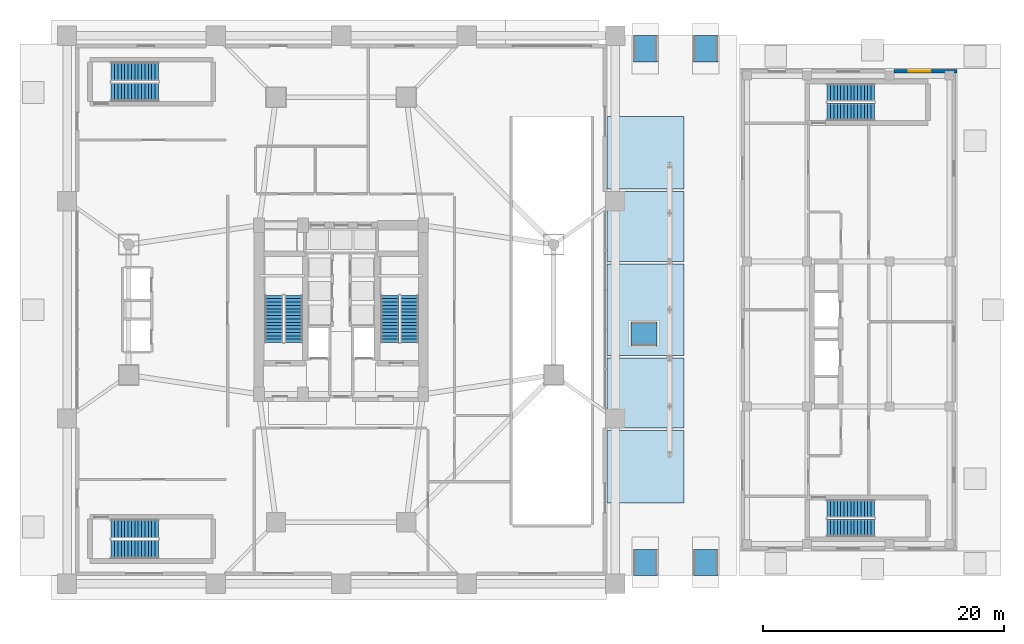
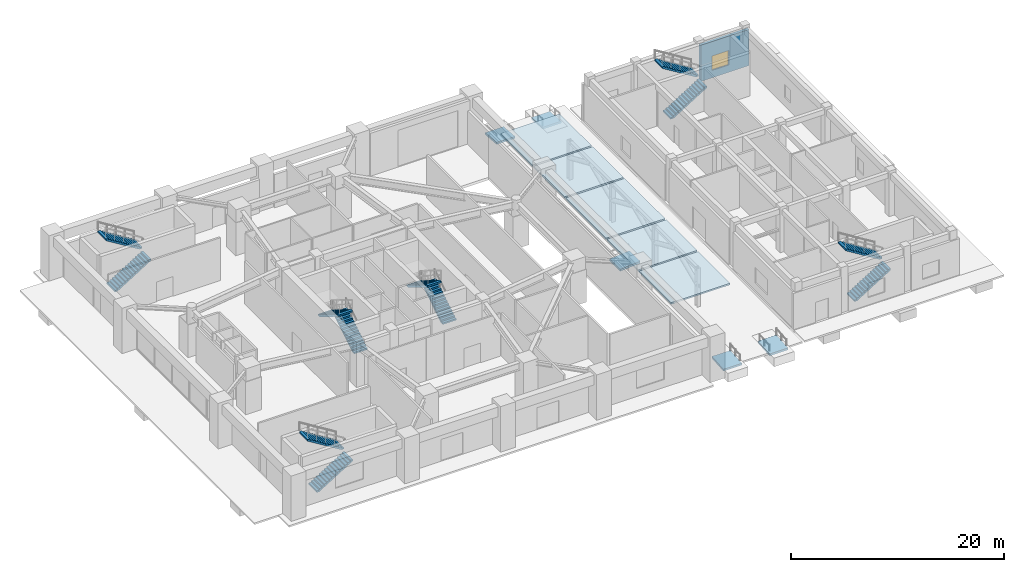
# One storey, part 22 of 27: 12 stair flights, 5 ramp flights, 5 roofs, 1 wall, 1 window, 1 opening, 11 elements without a shape of their own.
"""IFC4 building model written with IfcOpenShell, lengths in metres."""

from ifc_helpers import new_model, si_unit, direction, frame, frame_2d, origin, place, context, subcontext, project, spatial, polyline, rectangle, outline, extrude, source, transform, mapped, material, layer, layer_set, type_object, element, fill, aggregate, save


model = new_model("IFC4")

# Units and contexts
model_context = context("Model", 3, precision=1e-05, world=origin(), true_north=direction((0.0, 1.0)))
body_context = subcontext(model_context, "Body", "Model", "MODEL_VIEW")
ifc_project = project(units=[si_unit("LENGTHUNIT", "METRE"), si_unit("AREAUNIT", "SQUARE_METRE"), si_unit("VOLUMEUNIT", "CUBIC_METRE"), si_unit("PLANEANGLEUNIT", "RADIAN"), si_unit("MASSUNIT", "GRAM", prefix="KILO")], contexts=[model_context])

# Site, building, storey
site_placement = place(None, origin())
site = spatial("IfcSite", under=ifc_project, at=site_placement, CompositionType="ELEMENT")
building_placement = place(site_placement, origin())
building = spatial("IfcBuilding", under=site, at=building_placement, Name="Veraguas Prism Commons", CompositionType="ELEMENT")
storey_placement = place(building_placement, origin())
storey = spatial("IfcBuildingStorey", under=building, at=storey_placement, Name="L00", CompositionType="ELEMENT", Elevation=0.0)

# Wall, opening, window
ifc_material_1 = material(Name="Precast concrete C40/50", Category="concrete")
ifc_layer_1 = layer(ifc_material_1, 0.300048828125, Name="External Precast Facade Wall 300", Category="concrete")
ifc_layer_set_1 = layer_set([ifc_layer_1], Name="Precast concrete C40/50")
wall_type = type_object("IfcWallType", Name="External Precast Facade Wall 300", PredefinedType="SOLIDWALL", material=ifc_layer_set_1)
wall_placement = place(storey_placement, frame((75.0, 43.75, 0.0), z_axis=(0.0, 0.0, 1.0), x_axis=(-1.0, 0.0, 0.0)))
wall = element("IfcWall", 1, at=wall_placement, inside=storey, type_object=wall_type, Name="Health Centre North Wall L00-01", PredefinedType="SOLIDWALL", context=body_context, shape_type="SweptSolid", body=[
    extrude(rectangle(XDim=5.22509765625, YDim=0.300048828125, at=frame_2d((2.612548828125, 0.0))), origin(), (0.0, 0.0, 1.0), 4.14990234375),
])
opening_placement = place(wall_placement, frame((2.199951171875, 0.0, 0.85009765625)))
opening = element("IfcOpeningElement", 2, at=opening_placement, cuts=wall, Name="Opening WN-01", PredefinedType="OPENING", context=body_context, shape_type="SweptSolid", body=[
    extrude(rectangle(XDim=1.800048828125, YDim=1.64990234375, at=frame_2d((0.89990234375, 0.824951171875))), frame((0.0, 0.159912109375, 0.0), z_axis=(0.0, -1.0, 0.0), x_axis=(1.0, 0.0, 0.0)), (0.0, 0.0, 1.0), 0.320068359375),
])
ifc_material_2 = material(Name="Laminated low-e glass", Category="glass")
window_type = type_object("IfcWindowType", Name="Clinic Consulting Double Window 1800x1650", PartitioningType="DOUBLE_PANEL_VERTICAL", PredefinedType="WINDOW", material=ifc_material_2)
shared_shape = source(origin(), body_context, "Body", "SweptSolid", [
    extrude(rectangle(XDim=1.800048828125, YDim=1.64990234375, at=frame_2d((0.89990234375, 0.824951171875))), frame((0.0, 0.030029296875, 0.0), z_axis=(0.0, -1.0, 0.0), x_axis=(1.0, 0.0, 0.0)), (0.0, 0.0, 1.0), 0.06005859375),
])
window_placement = place(opening_placement, origin())
window = element("IfcWindow", 3, at=window_placement, inside=storey, type_object=window_type, Name="Health Centre North Window L00-01", OverallHeight=1.64990234375, OverallWidth=1.800048828125, PartitioningType="DOUBLE_PANEL_VERTICAL", PredefinedType="WINDOW", context=body_context, shape_type="MappedRepresentation", body=[
    mapped(shared_shape, transform((0.0, 0.0, 0.0), scale=1.0)),
])
fill(opening, window)

# Stair, stair flights
ifc_material_3 = material(Name="Precast concrete C45/55", Category="concrete")
stair_type_1 = type_object("IfcStairType", Name="Dogleg Core Stair 1450W 30R 13", PredefinedType="HALF_TURN_STAIR", material=ifc_material_3)
stair_1_placement = place(storey_placement, origin())
stair_1 = element("IfcStair", 4, at=stair_1_placement, inside=storey, type_object=stair_type_1, Name="Protected Exit Stair ST-H1 L00", PredefinedType="HALF_TURN_STAIR")
stair_flight_type_1 = type_object("IfcStairFlightType", Name="Precast Stair Flight 1450W 15R 13", PredefinedType="STRAIGHT", material=ifc_material_3)
stair_flight_1_placement = place(storey_placement, frame((64.25, 5.925048828125, 0.0), z_axis=(0.0, 0.0, 1.0), x_axis=(1.0, 0.0, 0.0)))
stair_flight_1 = element("IfcStairFlight", 5, at=stair_flight_1_placement, type_object=stair_flight_type_1, Name="ST-13 Flight 1", NumberOfRisers=15, NumberOfTreads=14, PredefinedType="STRAIGHT", RiserHeight=0.173333333, TreadLength=0.28, context=body_context, shape_type="SweptSolid", body=[
    extrude(outline(polyline([(0.0, 0.0), (0.0, 0.17333984375), (0.280029296875, 0.17333984375), (0.280029296875, 0.3466796875), (0.56005859375, 0.3466796875), (0.56005859375, 0.52001953125), (0.840087890625, 0.52001953125), (0.840087890625, 0.693359375), (1.1201171875, 0.693359375), (1.1201171875, 0.86669921875), (1.39990234375, 0.86669921875), (1.39990234375, 1.0400390625), (1.679931640625, 1.0400390625), (1.679931640625, 1.21337890625), (1.9599609375, 1.21337890625), (1.9599609375, 1.38671875), (2.239990234375, 1.38671875), (2.239990234375, 1.56005859375), (2.52001953125, 1.56005859375), (2.52001953125, 1.7333984375), (2.800048828125, 1.7333984375), (2.800048828125, 1.90673828125), (3.080078125, 1.90673828125), (3.080078125, 2.080078125), (3.360107421875, 2.080078125), (3.360107421875, 2.25341796875), (3.639892578125, 2.25341796875), (3.639892578125, 2.4267578125), (3.919921875, 2.4267578125), (3.919921875, 2.60009765625), (3.919921875, 2.250244140625), (0.284912109375, 0.0), (0.0, 0.0)])), frame((0.0, 0.72509765625, 0.0), z_axis=(0.0, -1.0, 0.0), x_axis=(1.0, 0.0, 0.0)), (0.0, 0.0, 1.0), 1.449951171875),
])
stair_flight_2_placement = place(storey_placement, frame((68.169921875, 7.52490234375, 2.60009765625), z_axis=(0.0, 0.0, 1.0), x_axis=(-1.0, 0.0, 0.0)))
stair_flight_2 = element("IfcStairFlight", 6, at=stair_flight_2_placement, type_object=stair_flight_type_1, Name="ST-13 Flight 2", NumberOfRisers=15, NumberOfTreads=14, PredefinedType="STRAIGHT", RiserHeight=0.173333333, TreadLength=0.28, context=body_context, shape_type="SweptSolid", body=[
    extrude(outline(polyline([(0.0, 0.0), (0.0, 0.17333984375), (0.280029296875, 0.17333984375), (0.280029296875, 0.3466796875), (0.56005859375, 0.3466796875), (0.56005859375, 0.52001953125), (0.840087890625, 0.52001953125), (0.840087890625, 0.693359375), (1.1201171875, 0.693359375), (1.1201171875, 0.86669921875), (1.39990234375, 0.86669921875), (1.39990234375, 1.0400390625), (1.679931640625, 1.0400390625), (1.679931640625, 1.21337890625), (1.9599609375, 1.21337890625), (1.9599609375, 1.38671875), (2.239990234375, 1.38671875), (2.239990234375, 1.56005859375), (2.52001953125, 1.56005859375), (2.52001953125, 1.7333984375), (2.800048828125, 1.7333984375), (2.800048828125, 1.90673828125), (3.080078125, 1.90673828125), (3.080078125, 2.080078125), (3.360107421875, 2.080078125), (3.360107421875, 2.25341796875), (3.639892578125, 2.25341796875), (3.639892578125, 2.4267578125), (3.919921875, 2.4267578125), (3.919921875, 2.60009765625), (3.919921875, 2.250244140625), (0.284912109375, 0.0), (0.0, 0.0)])), frame((0.0, 0.72509765625, 0.0), z_axis=(0.0, -1.0, 0.0), x_axis=(1.0, 0.0, 0.0)), (0.0, 0.0, 1.0), 1.449951171875),
])
aggregate(stair_1, [stair_flight_1, stair_flight_2])

stair_2_placement = place(storey_placement, origin())
stair_2 = element("IfcStair", 7, at=stair_2_placement, inside=storey, type_object=stair_type_1, Name="Protected Exit Stair ST-H2 L00", PredefinedType="HALF_TURN_STAIR")
stair_flight_3_placement = place(storey_placement, frame((64.25, 40.385009765625, 0.0), z_axis=(0.0, 0.0, 1.0), x_axis=(1.0, 0.0, 0.0)))
stair_flight_3 = element("IfcStairFlight", 8, at=stair_flight_3_placement, type_object=stair_flight_type_1, Name="ST-13 Flight 1", NumberOfRisers=15, NumberOfTreads=14, PredefinedType="STRAIGHT", RiserHeight=0.173333333, TreadLength=0.28, context=body_context, shape_type="SweptSolid", body=[
    extrude(outline(polyline([(0.0, 0.0), (0.0, 0.17333984375), (0.280029296875, 0.17333984375), (0.280029296875, 0.3466796875), (0.56005859375, 0.3466796875), (0.56005859375, 0.52001953125), (0.840087890625, 0.52001953125), (0.840087890625, 0.693359375), (1.1201171875, 0.693359375), (1.1201171875, 0.86669921875), (1.39990234375, 0.86669921875), (1.39990234375, 1.0400390625), (1.679931640625, 1.0400390625), (1.679931640625, 1.21337890625), (1.9599609375, 1.21337890625), (1.9599609375, 1.38671875), (2.239990234375, 1.38671875), (2.239990234375, 1.56005859375), (2.52001953125, 1.56005859375), (2.52001953125, 1.7333984375), (2.800048828125, 1.7333984375), (2.800048828125, 1.90673828125), (3.080078125, 1.90673828125), (3.080078125, 2.080078125), (3.360107421875, 2.080078125), (3.360107421875, 2.25341796875), (3.639892578125, 2.25341796875), (3.639892578125, 2.4267578125), (3.919921875, 2.4267578125), (3.919921875, 2.60009765625), (3.919921875, 2.250244140625), (0.284912109375, 0.0), (0.0, 0.0)])), frame((0.0, 0.72509765625, 0.0), z_axis=(0.0, -1.0, 0.0), x_axis=(1.0, 0.0, 0.0)), (0.0, 0.0, 1.0), 1.449951171875),
])
stair_flight_4_placement = place(storey_placement, frame((68.169921875, 41.985107421875, 2.60009765625), z_axis=(0.0, 0.0, 1.0), x_axis=(-1.0, 0.0, 0.0)))
stair_flight_4 = element("IfcStairFlight", 9, at=stair_flight_4_placement, type_object=stair_flight_type_1, Name="ST-13 Flight 2", NumberOfRisers=15, NumberOfTreads=14, PredefinedType="STRAIGHT", RiserHeight=0.173333333, TreadLength=0.28, context=body_context, shape_type="SweptSolid", body=[
    extrude(outline(polyline([(0.0, 0.0), (0.0, 0.17333984375), (0.280029296875, 0.17333984375), (0.280029296875, 0.3466796875), (0.56005859375, 0.3466796875), (0.56005859375, 0.52001953125), (0.840087890625, 0.52001953125), (0.840087890625, 0.693359375), (1.1201171875, 0.693359375), (1.1201171875, 0.86669921875), (1.39990234375, 0.86669921875), (1.39990234375, 1.0400390625), (1.679931640625, 1.0400390625), (1.679931640625, 1.21337890625), (1.9599609375, 1.21337890625), (1.9599609375, 1.38671875), (2.239990234375, 1.38671875), (2.239990234375, 1.56005859375), (2.52001953125, 1.56005859375), (2.52001953125, 1.7333984375), (2.800048828125, 1.7333984375), (2.800048828125, 1.90673828125), (3.080078125, 1.90673828125), (3.080078125, 2.080078125), (3.360107421875, 2.080078125), (3.360107421875, 2.25341796875), (3.639892578125, 2.25341796875), (3.639892578125, 2.4267578125), (3.919921875, 2.4267578125), (3.919921875, 2.60009765625), (3.919921875, 2.250244140625), (0.284912109375, 0.0), (0.0, 0.0)])), frame((0.0, 0.72509765625, 0.0), z_axis=(0.0, -1.0, 0.0), x_axis=(1.0, 0.0, 0.0)), (0.0, 0.0, 1.0), 1.449951171875),
])
aggregate(stair_2, [stair_flight_3, stair_flight_4])

stair_type_2 = type_object("IfcStairType", Name="Dogleg Core Stair 1480W 30R 02", PredefinedType="HALF_TURN_STAIR", material=ifc_material_3)
stair_3_placement = place(storey_placement, origin())
stair_3 = element("IfcStair", 10, at=stair_3_placement, inside=storey, type_object=stair_type_2, Name="Protected Exit Stair ST-01 L00", PredefinedType="HALF_TURN_STAIR")
stair_flight_type_2 = type_object("IfcStairFlightType", Name="Precast Stair Flight 1480W 15R 02", PredefinedType="STRAIGHT", material=ifc_material_3)
stair_flight_5_placement = place(storey_placement, frame((20.06005859375, 21.280029296875, 0.0), z_axis=(0.0, 0.0, 1.0), x_axis=(0.0, 1.0, 0.0)))
stair_flight_5 = element("IfcStairFlight", 11, at=stair_flight_5_placement, type_object=stair_flight_type_2, Name="ST-02 Flight 1", NumberOfRisers=15, NumberOfTreads=14, PredefinedType="STRAIGHT", RiserHeight=0.173333333, TreadLength=0.28, context=body_context, shape_type="SweptSolid", body=[
    extrude(outline(polyline([(0.0, 0.0), (0.0, 0.17333984375), (0.280029296875, 0.17333984375), (0.280029296875, 0.3466796875), (0.56005859375, 0.3466796875), (0.56005859375, 0.52001953125), (0.840087890625, 0.52001953125), (0.840087890625, 0.693359375), (1.1201171875, 0.693359375), (1.1201171875, 0.86669921875), (1.39990234375, 0.86669921875), (1.39990234375, 1.0400390625), (1.679931640625, 1.0400390625), (1.679931640625, 1.21337890625), (1.9599609375, 1.21337890625), (1.9599609375, 1.38671875), (2.239990234375, 1.38671875), (2.239990234375, 1.56005859375), (2.52001953125, 1.56005859375), (2.52001953125, 1.7333984375), (2.800048828125, 1.7333984375), (2.800048828125, 1.90673828125), (3.080078125, 1.90673828125), (3.080078125, 2.080078125), (3.360107421875, 2.080078125), (3.360107421875, 2.25341796875), (3.639892578125, 2.25341796875), (3.639892578125, 2.4267578125), (3.919921875, 2.4267578125), (3.919921875, 2.60009765625), (3.919921875, 2.250244140625), (0.284912109375, 0.0), (0.0, 0.0)])), frame((0.0, 0.739990234375, 0.0), z_axis=(0.0, -1.0, 0.0), x_axis=(1.0, 0.0, 0.0)), (0.0, 0.0, 1.0), 1.47998046875),
])
stair_flight_6_placement = place(storey_placement, frame((18.429931640625, 25.199951171875, 2.60009765625), z_axis=(0.0, 0.0, 1.0), x_axis=(0.0, -1.0, 0.0)))
stair_flight_6 = element("IfcStairFlight", 12, at=stair_flight_6_placement, type_object=stair_flight_type_2, Name="ST-02 Flight 2", NumberOfRisers=15, NumberOfTreads=14, PredefinedType="STRAIGHT", RiserHeight=0.173333333, TreadLength=0.28, context=body_context, shape_type="SweptSolid", body=[
    extrude(outline(polyline([(0.0, 0.0), (0.0, 0.17333984375), (0.280029296875, 0.17333984375), (0.280029296875, 0.3466796875), (0.56005859375, 0.3466796875), (0.56005859375, 0.52001953125), (0.840087890625, 0.52001953125), (0.840087890625, 0.693359375), (1.1201171875, 0.693359375), (1.1201171875, 0.86669921875), (1.39990234375, 0.86669921875), (1.39990234375, 1.0400390625), (1.679931640625, 1.0400390625), (1.679931640625, 1.21337890625), (1.9599609375, 1.21337890625), (1.9599609375, 1.38671875), (2.239990234375, 1.38671875), (2.239990234375, 1.56005859375), (2.52001953125, 1.56005859375), (2.52001953125, 1.7333984375), (2.800048828125, 1.7333984375), (2.800048828125, 1.90673828125), (3.080078125, 1.90673828125), (3.080078125, 2.080078125), (3.360107421875, 2.080078125), (3.360107421875, 2.25341796875), (3.639892578125, 2.25341796875), (3.639892578125, 2.4267578125), (3.919921875, 2.4267578125), (3.919921875, 2.60009765625), (3.919921875, 2.250244140625), (0.284912109375, 0.0), (0.0, 0.0)])), frame((0.0, 0.739990234375, 0.0), z_axis=(0.0, -1.0, 0.0), x_axis=(1.0, 0.0, 0.0)), (0.0, 0.0, 1.0), 1.47998046875),
])
aggregate(stair_3, [stair_flight_5, stair_flight_6])

stair_4_placement = place(storey_placement, origin())
stair_4 = element("IfcStair", 13, at=stair_4_placement, inside=storey, type_object=stair_type_2, Name="Protected Exit Stair ST-02 L00", PredefinedType="HALF_TURN_STAIR")
stair_flight_7_placement = place(storey_placement, frame((29.659912109375, 21.280029296875, 0.0), z_axis=(0.0, 0.0, 1.0), x_axis=(0.0, 1.0, 0.0)))
stair_flight_7 = element("IfcStairFlight", 14, at=stair_flight_7_placement, type_object=stair_flight_type_2, Name="ST-02 Flight 1", NumberOfRisers=15, NumberOfTreads=14, PredefinedType="STRAIGHT", RiserHeight=0.173333333, TreadLength=0.28, context=body_context, shape_type="SweptSolid", body=[
    extrude(outline(polyline([(0.0, 0.0), (0.0, 0.17333984375), (0.280029296875, 0.17333984375), (0.280029296875, 0.3466796875), (0.56005859375, 0.3466796875), (0.56005859375, 0.52001953125), (0.840087890625, 0.52001953125), (0.840087890625, 0.693359375), (1.1201171875, 0.693359375), (1.1201171875, 0.86669921875), (1.39990234375, 0.86669921875), (1.39990234375, 1.0400390625), (1.679931640625, 1.0400390625), (1.679931640625, 1.21337890625), (1.9599609375, 1.21337890625), (1.9599609375, 1.38671875), (2.239990234375, 1.38671875), (2.239990234375, 1.56005859375), (2.52001953125, 1.56005859375), (2.52001953125, 1.7333984375), (2.800048828125, 1.7333984375), (2.800048828125, 1.90673828125), (3.080078125, 1.90673828125), (3.080078125, 2.080078125), (3.360107421875, 2.080078125), (3.360107421875, 2.25341796875), (3.639892578125, 2.25341796875), (3.639892578125, 2.4267578125), (3.919921875, 2.4267578125), (3.919921875, 2.60009765625), (3.919921875, 2.250244140625), (0.284912109375, 0.0), (0.0, 0.0)])), frame((0.0, 0.739990234375, 0.0), z_axis=(0.0, -1.0, 0.0), x_axis=(1.0, 0.0, 0.0)), (0.0, 0.0, 1.0), 1.47998046875),
])
stair_flight_8_placement = place(storey_placement, frame((28.030029296875, 25.199951171875, 2.60009765625), z_axis=(0.0, 0.0, 1.0), x_axis=(0.0, -1.0, 0.0)))
stair_flight_8 = element("IfcStairFlight", 15, at=stair_flight_8_placement, type_object=stair_flight_type_2, Name="ST-02 Flight 2", NumberOfRisers=15, NumberOfTreads=14, PredefinedType="STRAIGHT", RiserHeight=0.173333333, TreadLength=0.28, context=body_context, shape_type="SweptSolid", body=[
    extrude(outline(polyline([(0.0, 0.0), (0.0, 0.17333984375), (0.280029296875, 0.17333984375), (0.280029296875, 0.3466796875), (0.56005859375, 0.3466796875), (0.56005859375, 0.52001953125), (0.840087890625, 0.52001953125), (0.840087890625, 0.693359375), (1.1201171875, 0.693359375), (1.1201171875, 0.86669921875), (1.39990234375, 0.86669921875), (1.39990234375, 1.0400390625), (1.679931640625, 1.0400390625), (1.679931640625, 1.21337890625), (1.9599609375, 1.21337890625), (1.9599609375, 1.38671875), (2.239990234375, 1.38671875), (2.239990234375, 1.56005859375), (2.52001953125, 1.56005859375), (2.52001953125, 1.7333984375), (2.800048828125, 1.7333984375), (2.800048828125, 1.90673828125), (3.080078125, 1.90673828125), (3.080078125, 2.080078125), (3.360107421875, 2.080078125), (3.360107421875, 2.25341796875), (3.639892578125, 2.25341796875), (3.639892578125, 2.4267578125), (3.919921875, 2.4267578125), (3.919921875, 2.60009765625), (3.919921875, 2.250244140625), (0.284912109375, 0.0), (0.0, 0.0)])), frame((0.0, 0.739990234375, 0.0), z_axis=(0.0, -1.0, 0.0), x_axis=(1.0, 0.0, 0.0)), (0.0, 0.0, 1.0), 1.47998046875),
])
aggregate(stair_4, [stair_flight_7, stair_flight_8])

stair_type_3 = type_object("IfcStairType", Name="Dogleg Core Stair 1550W 30R 10", PredefinedType="HALF_TURN_STAIR", material=ifc_material_3)
stair_5_placement = place(storey_placement, origin())
stair_5 = element("IfcStair", 16, at=stair_5_placement, inside=storey, type_object=stair_type_3, Name="Protected Exit Stair ST-M1 L00", PredefinedType="HALF_TURN_STAIR")
stair_flight_type_3 = type_object("IfcStairFlightType", Name="Precast Stair Flight 1550W 15R 10", PredefinedType="STRAIGHT", material=ifc_material_3)
stair_flight_9_placement = place(storey_placement, frame((4.949951171875, 4.175048828125, 0.0), z_axis=(0.0, 0.0, 1.0), x_axis=(1.0, 0.0, 0.0)))
stair_flight_9 = element("IfcStairFlight", 17, at=stair_flight_9_placement, type_object=stair_flight_type_3, Name="ST-10 Flight 1", NumberOfRisers=15, NumberOfTreads=14, PredefinedType="STRAIGHT", RiserHeight=0.173333333, TreadLength=0.28, context=body_context, shape_type="SweptSolid", body=[
    extrude(outline(polyline([(0.0, 0.0), (0.0, 0.17333984375), (0.280029296875, 0.17333984375), (0.280029296875, 0.3466796875), (0.56005859375, 0.3466796875), (0.56005859375, 0.52001953125), (0.840087890625, 0.52001953125), (0.840087890625, 0.693359375), (1.1201171875, 0.693359375), (1.1201171875, 0.86669921875), (1.39990234375, 0.86669921875), (1.39990234375, 1.0400390625), (1.679931640625, 1.0400390625), (1.679931640625, 1.21337890625), (1.9599609375, 1.21337890625), (1.9599609375, 1.38671875), (2.239990234375, 1.38671875), (2.239990234375, 1.56005859375), (2.52001953125, 1.56005859375), (2.52001953125, 1.7333984375), (2.800048828125, 1.7333984375), (2.800048828125, 1.90673828125), (3.080078125, 1.90673828125), (3.080078125, 2.080078125), (3.360107421875, 2.080078125), (3.360107421875, 2.25341796875), (3.639892578125, 2.25341796875), (3.639892578125, 2.4267578125), (3.919921875, 2.4267578125), (3.919921875, 2.60009765625), (3.919921875, 2.250244140625), (0.284912109375, 0.0), (0.0, 0.0)])), frame((0.0, 0.77490234375, 0.0), z_axis=(0.0, -1.0, 0.0), x_axis=(1.0, 0.0, 0.0)), (0.0, 0.0, 1.0), 1.550048828125),
])
stair_flight_10_placement = place(storey_placement, frame((8.8701171875, 5.875, 2.60009765625), z_axis=(0.0, 0.0, 1.0), x_axis=(-1.0, 0.0, 0.0)))
stair_flight_10 = element("IfcStairFlight", 18, at=stair_flight_10_placement, type_object=stair_flight_type_3, Name="ST-10 Flight 2", NumberOfRisers=15, NumberOfTreads=14, PredefinedType="STRAIGHT", RiserHeight=0.173333333, TreadLength=0.28, context=body_context, shape_type="SweptSolid", body=[
    extrude(outline(polyline([(0.0, 0.0), (0.0, 0.17333984375), (0.280029296875, 0.17333984375), (0.280029296875, 0.3466796875), (0.56005859375, 0.3466796875), (0.56005859375, 0.52001953125), (0.840087890625, 0.52001953125), (0.840087890625, 0.693359375), (1.1201171875, 0.693359375), (1.1201171875, 0.86669921875), (1.39990234375, 0.86669921875), (1.39990234375, 1.0400390625), (1.679931640625, 1.0400390625), (1.679931640625, 1.21337890625), (1.9599609375, 1.21337890625), (1.9599609375, 1.38671875), (2.239990234375, 1.38671875), (2.239990234375, 1.56005859375), (2.52001953125, 1.56005859375), (2.52001953125, 1.7333984375), (2.800048828125, 1.7333984375), (2.800048828125, 1.90673828125), (3.080078125, 1.90673828125), (3.080078125, 2.080078125), (3.360107421875, 2.080078125), (3.360107421875, 2.25341796875), (3.639892578125, 2.25341796875), (3.639892578125, 2.4267578125), (3.919921875, 2.4267578125), (3.919921875, 2.60009765625), (3.919921875, 2.250244140625), (0.284912109375, 0.0), (0.0, 0.0)])), frame((0.0, 0.77490234375, 0.0), z_axis=(0.0, -1.0, 0.0), x_axis=(1.0, 0.0, 0.0)), (0.0, 0.0, 1.0), 1.550048828125),
])
aggregate(stair_5, [stair_flight_9, stair_flight_10])

stair_6_placement = place(storey_placement, origin())
stair_6 = element("IfcStair", 19, at=stair_6_placement, inside=storey, type_object=stair_type_3, Name="Protected Exit Stair ST-M2 L00", PredefinedType="HALF_TURN_STAIR")
stair_flight_11_placement = place(storey_placement, frame((4.949951171875, 42.034912109375, 0.0), z_axis=(0.0, 0.0, 1.0), x_axis=(1.0, 0.0, 0.0)))
stair_flight_11 = element("IfcStairFlight", 20, at=stair_flight_11_placement, type_object=stair_flight_type_3, Name="ST-10 Flight 1", NumberOfRisers=15, NumberOfTreads=14, PredefinedType="STRAIGHT", RiserHeight=0.173333333, TreadLength=0.28, context=body_context, shape_type="SweptSolid", body=[
    extrude(outline(polyline([(0.0, 0.0), (0.0, 0.17333984375), (0.280029296875, 0.17333984375), (0.280029296875, 0.3466796875), (0.56005859375, 0.3466796875), (0.56005859375, 0.52001953125), (0.840087890625, 0.52001953125), (0.840087890625, 0.693359375), (1.1201171875, 0.693359375), (1.1201171875, 0.86669921875), (1.39990234375, 0.86669921875), (1.39990234375, 1.0400390625), (1.679931640625, 1.0400390625), (1.679931640625, 1.21337890625), (1.9599609375, 1.21337890625), (1.9599609375, 1.38671875), (2.239990234375, 1.38671875), (2.239990234375, 1.56005859375), (2.52001953125, 1.56005859375), (2.52001953125, 1.7333984375), (2.800048828125, 1.7333984375), (2.800048828125, 1.90673828125), (3.080078125, 1.90673828125), (3.080078125, 2.080078125), (3.360107421875, 2.080078125), (3.360107421875, 2.25341796875), (3.639892578125, 2.25341796875), (3.639892578125, 2.4267578125), (3.919921875, 2.4267578125), (3.919921875, 2.60009765625), (3.919921875, 2.250244140625), (0.284912109375, 0.0), (0.0, 0.0)])), frame((0.0, 0.77490234375, 0.0), z_axis=(0.0, -1.0, 0.0), x_axis=(1.0, 0.0, 0.0)), (0.0, 0.0, 1.0), 1.550048828125),
])
stair_flight_12_placement = place(storey_placement, frame((8.8701171875, 43.735107421875, 2.60009765625), z_axis=(0.0, 0.0, 1.0), x_axis=(-1.0, 0.0, 0.0)))
stair_flight_12 = element("IfcStairFlight", 21, at=stair_flight_12_placement, type_object=stair_flight_type_3, Name="ST-10 Flight 2", NumberOfRisers=15, NumberOfTreads=14, PredefinedType="STRAIGHT", RiserHeight=0.173333333, TreadLength=0.28, context=body_context, shape_type="SweptSolid", body=[
    extrude(outline(polyline([(0.0, 0.0), (0.0, 0.17333984375), (0.280029296875, 0.17333984375), (0.280029296875, 0.3466796875), (0.56005859375, 0.3466796875), (0.56005859375, 0.52001953125), (0.840087890625, 0.52001953125), (0.840087890625, 0.693359375), (1.1201171875, 0.693359375), (1.1201171875, 0.86669921875), (1.39990234375, 0.86669921875), (1.39990234375, 1.0400390625), (1.679931640625, 1.0400390625), (1.679931640625, 1.21337890625), (1.9599609375, 1.21337890625), (1.9599609375, 1.38671875), (2.239990234375, 1.38671875), (2.239990234375, 1.56005859375), (2.52001953125, 1.56005859375), (2.52001953125, 1.7333984375), (2.800048828125, 1.7333984375), (2.800048828125, 1.90673828125), (3.080078125, 1.90673828125), (3.080078125, 2.080078125), (3.360107421875, 2.080078125), (3.360107421875, 2.25341796875), (3.639892578125, 2.25341796875), (3.639892578125, 2.4267578125), (3.919921875, 2.4267578125), (3.919921875, 2.60009765625), (3.919921875, 2.250244140625), (0.284912109375, 0.0), (0.0, 0.0)])), frame((0.0, 0.77490234375, 0.0), z_axis=(0.0, -1.0, 0.0), x_axis=(1.0, 0.0, 0.0)), (0.0, 0.0, 1.0), 1.550048828125),
])
aggregate(stair_6, [stair_flight_11, stair_flight_12])

# Ramp, ramp flight
ramp_type = type_object("IfcRampType", Name="Plaza Accessible Pedestrian Ramp Assembly", PredefinedType="STRAIGHT_RUN_RAMP", material=ifc_material_3)
ramp_1_placement = place(storey_placement, origin())
ramp_1 = element("IfcRamp", 22, at=ramp_1_placement, inside=storey, type_object=ramp_type, Name="Plaza Accessible Pedestrian Ramp AC01", PredefinedType="STRAIGHT_RUN_RAMP")
ifc_layer_2 = layer(ifc_material_3, 0.219970703125, Name="Accessible Ramp Flight 220", Category="concrete")
ifc_layer_set_2 = layer_set([ifc_layer_2], Name="Precast concrete C45/55")
ramp_flight_type = type_object("IfcRampFlightType", Name="Accessible Ramp Flight 220", PredefinedType="STRAIGHT", material=ifc_layer_set_2)
ramp_flight_1_placement = place(storey_placement, frame((49.199951171875, 2.0, -0.179931640625), z_axis=(0.0, 0.0, 1.0), x_axis=(0.0, 1.0, 0.0)))
ramp_flight_1 = element("IfcRampFlight", 23, at=ramp_flight_1_placement, type_object=ramp_flight_type, Name="Plaza Accessible Ramp Flight AC01", PredefinedType="STRAIGHT", context=body_context, shape_type="SweptSolid", body=[
    extrude(outline(polyline([(0.0, 0.0), (2.159912109375, 0.179931640625), (2.159912109375, -0.0400390625), (0.0, -0.219970703125), (0.0, 0.0)])), frame((0.0, 1.0, 0.0), z_axis=(0.0, -1.0, 0.0), x_axis=(1.0, 0.0, 0.0)), (0.0, 0.0, 1.0), 2.0),
])
aggregate(ramp_1, [ramp_flight_1])

ramp_2_placement = place(storey_placement, origin())
ramp_2 = element("IfcRamp", 24, at=ramp_2_placement, inside=storey, type_object=ramp_type, Name="Plaza Accessible Pedestrian Ramp AC02", PredefinedType="STRAIGHT_RUN_RAMP")
ramp_flight_2_placement = place(storey_placement, frame((49.199951171875, 46.699951171875, -0.179931640625), z_axis=(0.0, 0.0, 1.0), x_axis=(0.0, -1.0, 0.0)))
ramp_flight_2 = element("IfcRampFlight", 25, at=ramp_flight_2_placement, type_object=ramp_flight_type, Name="Plaza Accessible Ramp Flight AC02", PredefinedType="STRAIGHT", context=body_context, shape_type="SweptSolid", body=[
    extrude(outline(polyline([(0.0, 0.0), (2.159912109375, 0.179931640625), (2.159912109375, -0.0400390625), (0.0, -0.219970703125), (0.0, 0.0)])), frame((0.0, 1.0, 0.0), z_axis=(0.0, -1.0, 0.0), x_axis=(1.0, 0.0, 0.0)), (0.0, 0.0, 1.0), 2.0),
])
aggregate(ramp_2, [ramp_flight_2])

ramp_3_placement = place(storey_placement, origin())
ramp_3 = element("IfcRamp", 26, at=ramp_3_placement, inside=storey, type_object=ramp_type, Name="Plaza Accessible Pedestrian Ramp AC03", PredefinedType="STRAIGHT_RUN_RAMP")
ramp_flight_3_placement = place(storey_placement, frame((54.199951171875, 2.0, -0.179931640625), z_axis=(0.0, 0.0, 1.0), x_axis=(0.0, 1.0, 0.0)))
ramp_flight_3 = element("IfcRampFlight", 27, at=ramp_flight_3_placement, type_object=ramp_flight_type, Name="Plaza Accessible Ramp Flight AC03", PredefinedType="STRAIGHT", context=body_context, shape_type="SweptSolid", body=[
    extrude(outline(polyline([(0.0, 0.0), (2.159912109375, 0.179931640625), (2.159912109375, -0.0400390625), (0.0, -0.219970703125), (0.0, 0.0)])), frame((0.0, 1.0, 0.0), z_axis=(0.0, -1.0, 0.0), x_axis=(1.0, 0.0, 0.0)), (0.0, 0.0, 1.0), 2.0),
])
aggregate(ramp_3, [ramp_flight_3])

ramp_4_placement = place(storey_placement, origin())
ramp_4 = element("IfcRamp", 28, at=ramp_4_placement, inside=storey, type_object=ramp_type, Name="Plaza Accessible Pedestrian Ramp AC04", PredefinedType="STRAIGHT_RUN_RAMP")
ramp_flight_4_placement = place(storey_placement, frame((54.199951171875, 46.699951171875, -0.179931640625), z_axis=(0.0, 0.0, 1.0), x_axis=(0.0, -1.0, 0.0)))
ramp_flight_4 = element("IfcRampFlight", 29, at=ramp_flight_4_placement, type_object=ramp_flight_type, Name="Plaza Accessible Ramp Flight AC04", PredefinedType="STRAIGHT", context=body_context, shape_type="SweptSolid", body=[
    extrude(outline(polyline([(0.0, 0.0), (2.159912109375, 0.179931640625), (2.159912109375, -0.0400390625), (0.0, -0.219970703125), (0.0, 0.0)])), frame((0.0, 1.0, 0.0), z_axis=(0.0, -1.0, 0.0), x_axis=(1.0, 0.0, 0.0)), (0.0, 0.0, 1.0), 2.0),
])
aggregate(ramp_4, [ramp_flight_4])

ramp_5_placement = place(storey_placement, origin())
ramp_5 = element("IfcRamp", 30, at=ramp_5_placement, inside=storey, type_object=ramp_type, Name="Plaza Accessible Pedestrian Ramp AC05", PredefinedType="STRAIGHT_RUN_RAMP")
ramp_flight_5_placement = place(storey_placement, frame((48.0, 22.0, -0.179931640625), z_axis=(0.0, 0.0, 1.0), x_axis=(1.0, 0.0, 0.0)))
ramp_flight_5 = element("IfcRampFlight", 31, at=ramp_flight_5_placement, type_object=ramp_flight_type, Name="Plaza Accessible Ramp Flight AC05", PredefinedType="STRAIGHT", context=body_context, shape_type="SweptSolid", body=[
    extrude(outline(polyline([(0.0, 0.0), (2.159912109375, 0.179931640625), (2.159912109375, -0.0400390625), (0.0, -0.219970703125), (0.0, 0.0)])), frame((0.0, 1.0, 0.0), z_axis=(0.0, -1.0, 0.0), x_axis=(1.0, 0.0, 0.0)), (0.0, 0.0, 1.0), 2.0),
])
aggregate(ramp_5, [ramp_flight_5])

# Roofs
ifc_material_4 = material(Name="Anodised aluminium EN AW-6063 T6", Category="aluminium")
ifc_layer_3 = layer(ifc_material_4, 0.179931640625, Name="Entrance Pale-Metal Canopy Roof 180", Category="aluminium")
ifc_layer_set_3 = layer_set([ifc_layer_3], Name="Anodised aluminium EN AW-6063 T6")
roof_type = type_object("IfcRoofType", Name="Entrance Pale-Metal Canopy Roof 180", PredefinedType="FLAT_ROOF", material=ifc_layer_set_3)
roof_1_placement = place(storey_placement, frame((0.0, 0.0, 4.39990234375)))
element("IfcRoof", 32, at=roof_1_placement, inside=storey, type_object=roof_type, Name="Plaza Entrance Canopy Roof 01", PredefinedType="FLAT_ROOF", context=body_context, shape_type="SweptSolid", body=[
    extrude(outline(polyline([(46.0, 8.0), (52.39990234375, 8.0), (52.39990234375, 14.0), (46.0, 14.0), (46.0, 8.0)])), origin(), (0.0, 0.0, 1.0), 0.18017578125),
])
roof_2_placement = place(storey_placement, frame((0.0, 0.0, 4.39990234375)))
element("IfcRoof", 33, at=roof_2_placement, inside=storey, type_object=roof_type, Name="Plaza Entrance Canopy Roof 02", PredefinedType="FLAT_ROOF", context=body_context, shape_type="SweptSolid", body=[
    extrude(outline(polyline([(46.0, 14.199951171875), (52.39990234375, 14.199951171875), (52.39990234375, 20.0), (46.0, 20.0), (46.0, 14.199951171875)])), origin(), (0.0, 0.0, 1.0), 0.18017578125),
])
roof_3_placement = place(storey_placement, frame((0.0, 0.0, 4.39990234375)))
element("IfcRoof", 34, at=roof_3_placement, inside=storey, type_object=roof_type, Name="Plaza Entrance Canopy Roof 03", PredefinedType="FLAT_ROOF", context=body_context, shape_type="SweptSolid", body=[
    extrude(outline(polyline([(46.0, 20.199951171875), (52.39990234375, 20.199951171875), (52.39990234375, 27.800048828125), (46.0, 27.800048828125), (46.0, 20.199951171875)])), origin(), (0.0, 0.0, 1.0), 0.18017578125),
])
roof_4_placement = place(storey_placement, frame((0.0, 0.0, 4.39990234375)))
element("IfcRoof", 35, at=roof_4_placement, inside=storey, type_object=roof_type, Name="Plaza Entrance Canopy Roof 04", PredefinedType="FLAT_ROOF", context=body_context, shape_type="SweptSolid", body=[
    extrude(outline(polyline([(46.0, 28.0), (52.39990234375, 28.0), (52.39990234375, 33.800048828125), (46.0, 33.800048828125), (46.0, 28.0)])), origin(), (0.0, 0.0, 1.0), 0.18017578125),
])
roof_5_placement = place(storey_placement, frame((0.0, 0.0, 4.39990234375)))
element("IfcRoof", 36, at=roof_5_placement, inside=storey, type_object=roof_type, Name="Plaza Entrance Canopy Roof 05", PredefinedType="FLAT_ROOF", context=body_context, shape_type="SweptSolid", body=[
    extrude(outline(polyline([(46.0, 34.0), (52.39990234375, 34.0), (52.39990234375, 40.0), (46.0, 40.0), (46.0, 34.0)])), origin(), (0.0, 0.0, 1.0), 0.18017578125),
])

save(model, "model.ifc")
